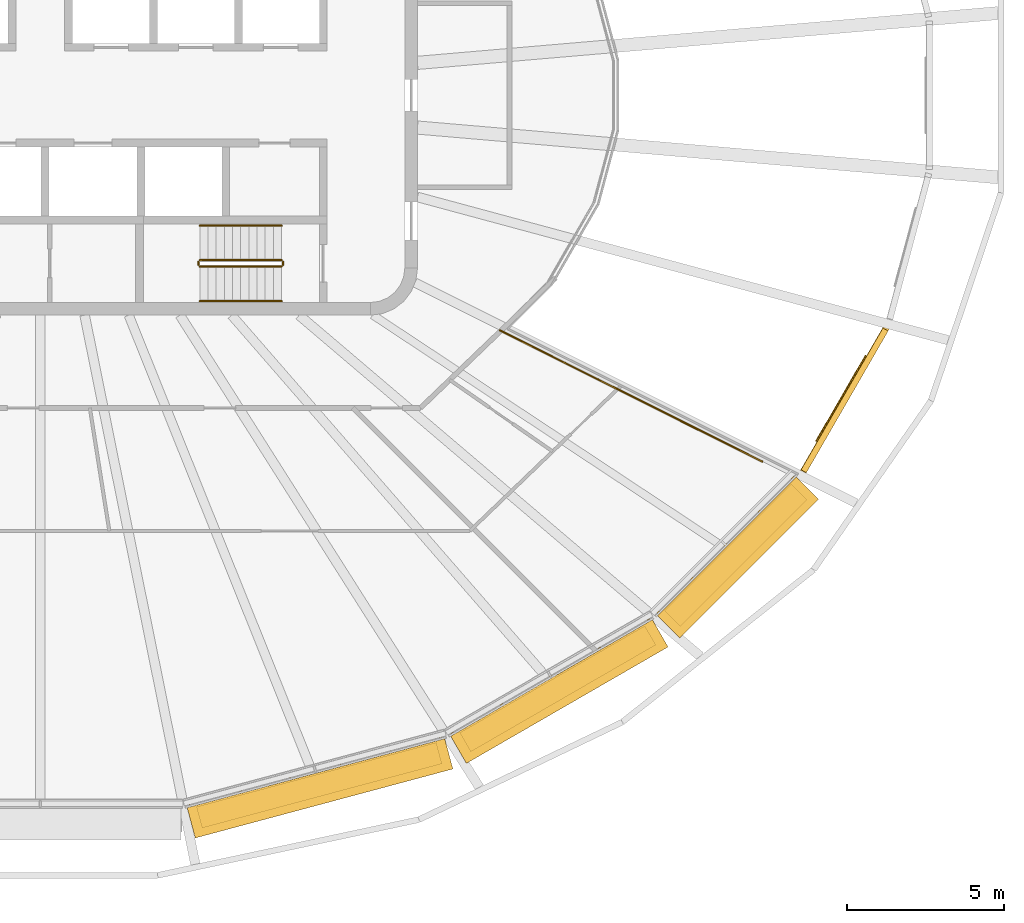
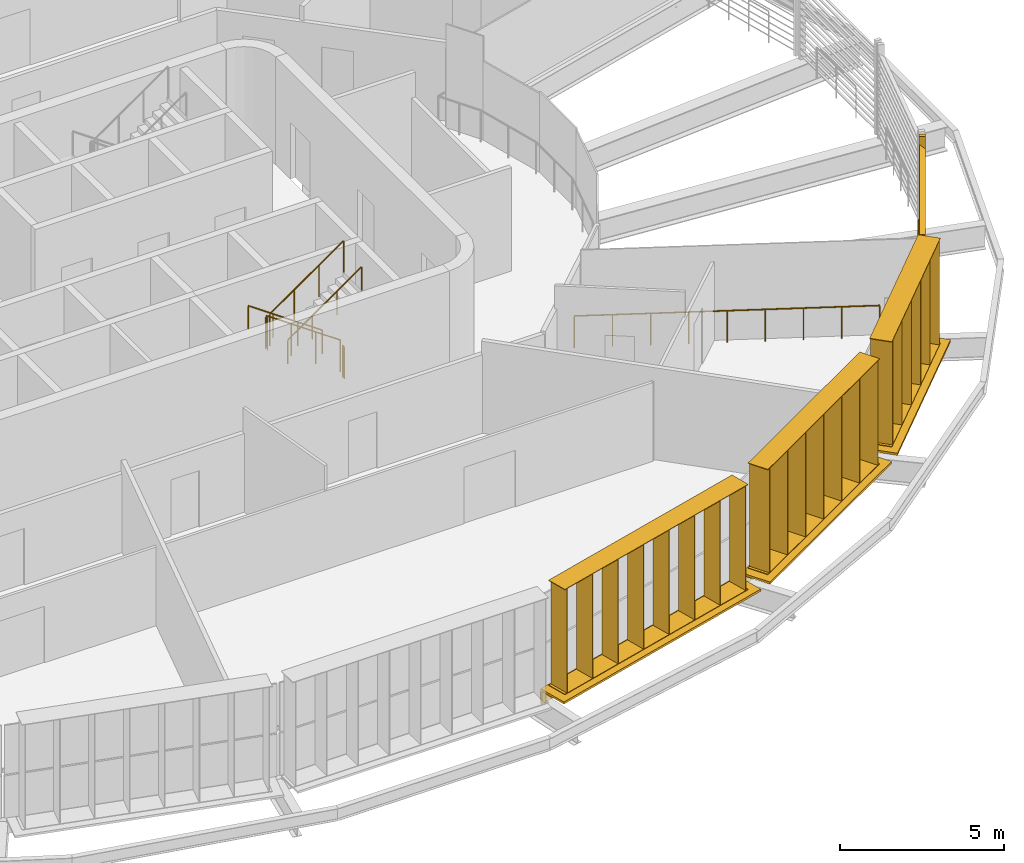
# One storey, part 15 of 17: 8 railings, 7 shading devices.
"""IFC4 building model written with IfcOpenShell, lengths in metres."""

from ifc_helpers import new_model, si_unit, direction, frame, origin, origin_2d, place, context, subcontext, project, spatial, rectangle, circle, extrude, material, type_object, element, save


model = new_model("IFC4")

# Units and contexts
model_context = context("Model", 3, precision=1e-05, world=origin(), true_north=direction((0.0, 1.0)))
body_context = subcontext(model_context, "Body", "Model", "MODEL_VIEW")
ifc_project = project(units=[si_unit("LENGTHUNIT", "METRE"), si_unit("AREAUNIT", "SQUARE_METRE"), si_unit("VOLUMEUNIT", "CUBIC_METRE"), si_unit("PLANEANGLEUNIT", "RADIAN"), si_unit("MASSUNIT", "GRAM", prefix="KILO")], contexts=[model_context])

# Site, building, storey
site_placement = place(None, origin())
site = spatial("IfcSite", under=ifc_project, at=site_placement, CompositionType="ELEMENT")
building_placement = place(site_placement, origin())
building = spatial("IfcBuilding", under=site, at=building_placement, Name="Sahrelin Media Tower", CompositionType="ELEMENT")
storey_placement = place(building_placement, frame((0.0, 0.0, 291.0)))
storey = spatial("IfcBuildingStorey", under=building, at=storey_placement, Name="L64", CompositionType="ELEMENT", Elevation=291.0)

# Shading devices
ifc_material_1 = material(Name="Champagne anodised aluminium 6063-T6", Category="aluminium")
shading_device_type_1 = type_object("IfcShadingDeviceType", Name="Fin cassette", PredefinedType="USERDEFINED", material=ifc_material_1)
placement_1 = place(storey_placement, frame((8.763427734375, -21.548828125, 0.0), z_axis=(0.0, 0.0, 1.0), x_axis=(-0.965928857556, -0.258807731996, 0.0)))
element("IfcShadingDevice", 1, at=placement_1, inside=storey, type_object=shading_device_type_1, Name="L64:FIN:L64-19", ObjectType="FIN", PredefinedType="USERDEFINED", context=body_context, shape_type="SweptSolid", body=[
    extrude(rectangle(XDim=7.89990234375, YDim=0.699951171875, at=origin_2d()), frame((0.0, 0.419921875, 0.0)), (0.0, 0.0, 1.0), 0.02001953125),
    extrude(rectangle(XDim=7.89990234375, YDim=0.699951171875, at=origin_2d()), frame((0.0, 0.419921875, 3.89990234375)), (0.0, 0.0, 1.0), 0.02001953125),
    extrude(rectangle(XDim=0.02001953125, YDim=0.699951171875, at=origin_2d()), frame((-3.85009765625, 0.419921875, 0.010009765625), z_axis=(0.0, 0.0, 1.0), x_axis=(1.0, 0.0, 0.0)), (0.0, 0.0, 1.0), 3.89990234375),
    extrude(rectangle(XDim=0.02001953125, YDim=0.699951171875, at=origin_2d()), frame((-2.75, 0.419921875, 0.010009765625), z_axis=(0.0, 0.0, 1.0), x_axis=(1.0, 0.0, 0.0)), (0.0, 0.0, 1.0), 3.89990234375),
    extrude(rectangle(XDim=0.02001953125, YDim=0.699951171875, at=origin_2d()), frame((-1.64990234375, 0.419921875, 0.010009765625), z_axis=(0.0, 0.0, 1.0), x_axis=(1.0, 0.0, 0.0)), (0.0, 0.0, 1.0), 3.89990234375),
    extrude(rectangle(XDim=0.02001953125, YDim=0.699951171875, at=origin_2d()), frame((-0.550048828125, 0.419921875, 0.010009765625), z_axis=(0.0, 0.0, 1.0), x_axis=(1.0, 0.0, 0.0)), (0.0, 0.0, 1.0), 3.89990234375),
    extrude(rectangle(XDim=0.02001953125, YDim=0.699951171875, at=origin_2d()), frame((0.550048828125, 0.419921875, 0.010009765625), z_axis=(0.0, 0.0, 1.0), x_axis=(1.0, 0.0, 0.0)), (0.0, 0.0, 1.0), 3.89990234375),
    extrude(rectangle(XDim=0.02001953125, YDim=0.699951171875, at=origin_2d()), frame((1.64990234375, 0.419921875, 0.010009765625), z_axis=(0.0, 0.0, 1.0), x_axis=(1.0, 0.0, 0.0)), (0.0, 0.0, 1.0), 3.89990234375),
    extrude(rectangle(XDim=0.02001953125, YDim=0.699951171875, at=origin_2d()), frame((2.75, 0.419921875, 0.010009765625), z_axis=(0.0, 0.0, 1.0), x_axis=(1.0, 0.0, 0.0)), (0.0, 0.0, 1.0), 3.89990234375),
    extrude(rectangle(XDim=0.02001953125, YDim=0.699951171875, at=origin_2d()), frame((3.85009765625, 0.419921875, 0.010009765625), z_axis=(0.0, 0.0, 1.0), x_axis=(1.0, 0.0, 0.0)), (0.0, 0.0, 1.0), 3.89990234375),
])
placement_2 = place(storey_placement, frame((16.25341796875, -18.522216796875, 0.0), z_axis=(0.0, 0.0, 1.0), x_axis=(-0.866019052629, -0.500011000363, 0.0)))
element("IfcShadingDevice", 2, at=placement_2, inside=storey, type_object=shading_device_type_1, Name="L64:FIN:L64-20", ObjectType="FIN", PredefinedType="USERDEFINED", context=body_context, shape_type="SweptSolid", body=[
    extrude(rectangle(XDim=6.800048828125, YDim=0.699951171875, at=origin_2d()), frame((0.0, 0.419921875, 0.0)), (0.0, 0.0, 1.0), 0.02001953125),
    extrude(rectangle(XDim=6.800048828125, YDim=0.699951171875, at=origin_2d()), frame((0.0, 0.419921875, 3.89990234375)), (0.0, 0.0, 1.0), 0.02001953125),
    extrude(rectangle(XDim=0.02001953125, YDim=0.699951171875, at=origin_2d()), frame((-3.300048828125, 0.419921875, 0.010009765625), z_axis=(0.0, 0.0, 1.0), x_axis=(1.0, 0.0, 0.0)), (0.0, 0.0, 1.0), 3.89990234375),
    extrude(rectangle(XDim=0.02001953125, YDim=0.699951171875, at=origin_2d()), frame((-2.199951171875, 0.419921875, 0.010009765625), z_axis=(0.0, 0.0, 1.0), x_axis=(1.0, 0.0, 0.0)), (0.0, 0.0, 1.0), 3.89990234375),
    extrude(rectangle(XDim=0.02001953125, YDim=0.699951171875, at=origin_2d()), frame((-1.10009765625, 0.419921875, 0.010009765625), z_axis=(0.0, 0.0, 1.0), x_axis=(1.0, 0.0, 0.0)), (0.0, 0.0, 1.0), 3.89990234375),
    extrude(rectangle(XDim=0.02001953125, YDim=0.699951171875, at=origin_2d()), frame((0.0, 0.419921875, 0.010009765625), z_axis=(0.0, 0.0, 1.0), x_axis=(1.0, 0.0, 0.0)), (0.0, 0.0, 1.0), 3.89990234375),
    extrude(rectangle(XDim=0.02001953125, YDim=0.699951171875, at=origin_2d()), frame((1.10009765625, 0.419921875, 0.010009765625), z_axis=(0.0, 0.0, 1.0), x_axis=(1.0, 0.0, 0.0)), (0.0, 0.0, 1.0), 3.89990234375),
    extrude(rectangle(XDim=0.02001953125, YDim=0.699951171875, at=origin_2d()), frame((2.199951171875, 0.419921875, 0.010009765625), z_axis=(0.0, 0.0, 1.0), x_axis=(1.0, 0.0, 0.0)), (0.0, 0.0, 1.0), 3.89990234375),
    extrude(rectangle(XDim=0.02001953125, YDim=0.699951171875, at=origin_2d()), frame((3.300048828125, 0.419921875, 0.010009765625), z_axis=(0.0, 0.0, 1.0), x_axis=(1.0, 0.0, 0.0)), (0.0, 0.0, 1.0), 3.89990234375),
])
placement_3 = place(storey_placement, frame((21.829345703125, -14.339111328125, 0.0), z_axis=(0.0, 0.0, 1.0), x_axis=(-0.707106781187, -0.707106781187, 0.0)))
element("IfcShadingDevice", 3, at=placement_3, inside=storey, type_object=shading_device_type_1, Name="L64:FIN:L64-21", ObjectType="FIN", PredefinedType="USERDEFINED", context=body_context, shape_type="SweptSolid", body=[
    extrude(rectangle(XDim=5.699951171875, YDim=0.699951171875, at=origin_2d()), frame((0.0, 0.419921875, 0.0)), (0.0, 0.0, 1.0), 0.02001953125),
    extrude(rectangle(XDim=5.699951171875, YDim=0.699951171875, at=origin_2d()), frame((0.0, 0.419921875, 3.89990234375)), (0.0, 0.0, 1.0), 0.02001953125),
    extrude(rectangle(XDim=0.02001953125, YDim=0.699951171875, at=origin_2d()), frame((-2.75, 0.419921875, 0.010009765625), z_axis=(0.0, 0.0, 1.0), x_axis=(1.0, 0.0, 0.0)), (0.0, 0.0, 1.0), 3.89990234375),
    extrude(rectangle(XDim=0.02001953125, YDim=0.699951171875, at=origin_2d()), frame((-1.64990234375, 0.419921875, 0.010009765625), z_axis=(0.0, 0.0, 1.0), x_axis=(1.0, 0.0, 0.0)), (0.0, 0.0, 1.0), 3.89990234375),
    extrude(rectangle(XDim=0.02001953125, YDim=0.699951171875, at=origin_2d()), frame((-0.550048828125, 0.419921875, 0.010009765625), z_axis=(0.0, 0.0, 1.0), x_axis=(1.0, 0.0, 0.0)), (0.0, 0.0, 1.0), 3.89990234375),
    extrude(rectangle(XDim=0.02001953125, YDim=0.699951171875, at=origin_2d()), frame((0.550048828125, 0.419921875, 0.010009765625), z_axis=(0.0, 0.0, 1.0), x_axis=(1.0, 0.0, 0.0)), (0.0, 0.0, 1.0), 3.89990234375),
    extrude(rectangle(XDim=0.02001953125, YDim=0.699951171875, at=origin_2d()), frame((1.64990234375, 0.419921875, 0.010009765625), z_axis=(0.0, 0.0, 1.0), x_axis=(1.0, 0.0, 0.0)), (0.0, 0.0, 1.0), 3.89990234375),
    extrude(rectangle(XDim=0.02001953125, YDim=0.699951171875, at=origin_2d()), frame((2.75, 0.419921875, 0.010009765625), z_axis=(0.0, 0.0, 1.0), x_axis=(1.0, 0.0, 0.0)), (0.0, 0.0, 1.0), 3.89990234375),
])
shading_device_type_2 = type_object("IfcShadingDeviceType", Name="Garden screen", PredefinedType="USERDEFINED", material=ifc_material_1)
shading_device_4_placement = place(storey_placement, frame((25.49658203125, -9.656494140625, 0.0), z_axis=(0.0, 0.0, 1.0), x_axis=(-0.500011000363, -0.866019052629, 0.0)))
element("IfcShadingDevice", 4, at=shading_device_4_placement, inside=storey, type_object=shading_device_type_2, Name="L64:SCREEN:L64-22", ObjectType="SCREEN", PredefinedType="USERDEFINED", context=body_context, shape_type="SweptSolid", body=[
    extrude(rectangle(XDim=0.1201171875, YDim=0.199951171875, at=origin_2d()), frame((2.663818359375, 0.10009765625, 0.050048828125), z_axis=(0.0, 0.0, 1.0), x_axis=(1.0, 0.0, 0.0)), (0.0, 0.0, 1.0), 3.49853515625),
    extrude(rectangle(XDim=0.1201171875, YDim=0.199951171875, at=origin_2d()), frame((-2.663818359375, 0.10009765625, 0.050048828125), z_axis=(0.0, 0.0, 1.0), x_axis=(1.0, 0.0, 0.0)), (0.0, 0.0, 1.0), 3.49853515625),
    extrude(rectangle(XDim=0.25, YDim=0.02001953125, at=origin_2d()), frame((2.60400390625, 0.10009765625, 0.14990234375), z_axis=(-1.0, 0.0, 0.0), x_axis=(0.0, -0.766044443119, 0.642787609687)), (0.0, 0.0, 1.0), 5.2080078125),
    extrude(rectangle(XDim=0.25, YDim=0.02001953125, at=origin_2d()), frame((2.60400390625, 0.10009765625, 0.39990234375), z_axis=(-1.0, 0.0, 0.0), x_axis=(0.0, -0.766044443119, 0.642787609687)), (0.0, 0.0, 1.0), 5.2080078125),
    extrude(rectangle(XDim=0.25, YDim=0.02001953125, at=origin_2d()), frame((2.60400390625, 0.10009765625, 0.64990234375), z_axis=(-1.0, 0.0, 0.0), x_axis=(0.0, -0.766044443119, 0.642787609687)), (0.0, 0.0, 1.0), 5.2080078125),
    extrude(rectangle(XDim=0.25, YDim=0.02001953125, at=origin_2d()), frame((2.60400390625, 0.10009765625, 0.89990234375), z_axis=(-1.0, 0.0, 0.0), x_axis=(0.0, -0.766044443119, 0.642787609687)), (0.0, 0.0, 1.0), 5.2080078125),
    extrude(rectangle(XDim=0.25, YDim=0.02001953125, at=origin_2d()), frame((2.60400390625, 0.10009765625, 1.14990234375), z_axis=(-1.0, 0.0, 0.0), x_axis=(0.0, -0.766044443119, 0.642787609687)), (0.0, 0.0, 1.0), 5.2080078125),
    extrude(rectangle(XDim=0.25, YDim=0.02001953125, at=origin_2d()), frame((2.60400390625, 0.10009765625, 1.39990234375), z_axis=(-1.0, 0.0, 0.0), x_axis=(0.0, -0.766044443119, 0.642787609687)), (0.0, 0.0, 1.0), 5.2080078125),
    extrude(rectangle(XDim=0.25, YDim=0.02001953125, at=origin_2d()), frame((2.60400390625, 0.10009765625, 1.64990234375), z_axis=(-1.0, 0.0, 0.0), x_axis=(0.0, -0.766044443119, 0.642787609687)), (0.0, 0.0, 1.0), 5.2080078125),
    extrude(rectangle(XDim=0.25, YDim=0.02001953125, at=origin_2d()), frame((2.60400390625, 0.10009765625, 1.89990234375), z_axis=(-1.0, 0.0, 0.0), x_axis=(0.0, -0.766044443119, 0.642787609687)), (0.0, 0.0, 1.0), 5.2080078125),
    extrude(rectangle(XDim=0.25, YDim=0.02001953125, at=origin_2d()), frame((2.60400390625, 0.10009765625, 2.14990234375), z_axis=(-1.0, 0.0, 0.0), x_axis=(0.0, -0.766044443119, 0.642787609687)), (0.0, 0.0, 1.0), 5.2080078125),
    extrude(rectangle(XDim=0.25, YDim=0.02001953125, at=origin_2d()), frame((2.60400390625, 0.10009765625, 2.39990234375), z_axis=(-1.0, 0.0, 0.0), x_axis=(0.0, -0.766044443119, 0.642787609687)), (0.0, 0.0, 1.0), 5.2080078125),
    extrude(rectangle(XDim=0.25, YDim=0.02001953125, at=origin_2d()), frame((2.60400390625, 0.10009765625, 2.64990234375), z_axis=(-1.0, 0.0, 0.0), x_axis=(0.0, -0.766044443119, 0.642787609687)), (0.0, 0.0, 1.0), 5.2080078125),
    extrude(rectangle(XDim=0.25, YDim=0.02001953125, at=origin_2d()), frame((2.60400390625, 0.10009765625, 2.89990234375), z_axis=(-1.0, 0.0, 0.0), x_axis=(0.0, -0.766044443119, 0.642787609687)), (0.0, 0.0, 1.0), 5.2080078125),
    extrude(rectangle(XDim=0.25, YDim=0.02001953125, at=origin_2d()), frame((2.60400390625, 0.10009765625, 3.14990234375), z_axis=(-1.0, 0.0, 0.0), x_axis=(0.0, -0.766044443119, 0.642787609687)), (0.0, 0.0, 1.0), 5.2080078125),
])

# Railings
ifc_material_2 = material(Name="Stainless steel 316", Category="steel")
railing_type_1 = type_object("IfcRailingType", Name="Sky garden guard", PredefinedType="GUARDRAIL", material=ifc_material_2)
railing_1_placement = place(storey_placement, frame((26.256591796875, -8.295654296875, 0.0)))
element("IfcRailing", 5, at=railing_1_placement, inside=storey, type_object=railing_type_1, Name="Sky garden void guard G8-5", PredefinedType="GUARDRAIL", context=body_context, shape_type="SweptSolid", body=[
    extrude(circle(Radius=0.02392578125, at=origin_2d()), frame((0.0, 0.0, 1.17578125), z_axis=(-0.500054530113, -0.86599391852, 0.0), x_axis=(0.86599391852, -0.500054530113, 0.0)), (0.0, 0.0, 1.0), 3.118408203125),
    extrude(circle(Radius=0.02099609375, at=origin_2d()), origin(), (0.0, 0.0, 1.0), 1.15185546875),
    extrude(circle(Radius=0.02099609375, at=origin_2d()), frame((-0.519775390625, -0.900146484375, 0.0)), (0.0, 0.0, 1.0), 1.15185546875),
    extrude(circle(Radius=0.02099609375, at=origin_2d()), frame((-1.03955078125, -1.80029296875, 0.0)), (0.0, 0.0, 1.0), 1.15185546875),
    extrude(circle(Radius=0.02099609375, at=origin_2d()), frame((-1.559326171875, -2.700439453125, 0.0)), (0.0, 0.0, 1.0), 1.15185546875),
])
railing_2_placement = place(storey_placement, frame((22.964111328125, -11.6533203125, 0.0)))
element("IfcRailing", 6, at=railing_2_placement, inside=storey, type_object=railing_type_1, Name="Sky garden void guard G8-6", PredefinedType="GUARDRAIL", context=body_context, shape_type="SweptSolid", body=[
    extrude(circle(Radius=0.02392578125, at=origin_2d()), frame((0.0, 0.0, 1.17578125), z_axis=(-0.894369625798, 0.447328707383, 0.0), x_axis=(-0.447328707383, -0.894369625798, 0.0)), (0.0, 0.0, 1.0), 9.33154296875),
    extrude(circle(Radius=0.02099609375, at=origin_2d()), origin(), (0.0, 0.0, 1.0), 1.15185546875),
    extrude(circle(Radius=0.02099609375, at=origin_2d()), frame((-1.043212890625, 0.521728515625, 0.0)), (0.0, 0.0, 1.0), 1.15185546875),
    extrude(circle(Radius=0.02099609375, at=origin_2d()), frame((-2.08642578125, 1.04345703125, 0.0)), (0.0, 0.0, 1.0), 1.15185546875),
    extrude(circle(Radius=0.02099609375, at=origin_2d()), frame((-3.129638671875, 1.5654296875, 0.0)), (0.0, 0.0, 1.0), 1.15185546875),
    extrude(circle(Radius=0.02099609375, at=origin_2d()), frame((-4.1728515625, 2.087158203125, 0.0)), (0.0, 0.0, 1.0), 1.15185546875),
    extrude(circle(Radius=0.02099609375, at=origin_2d()), frame((-5.21630859375, 2.60888671875, 0.0)), (0.0, 0.0, 1.0), 1.15185546875),
    extrude(circle(Radius=0.02099609375, at=origin_2d()), frame((-6.259521484375, 3.130859375, 0.0)), (0.0, 0.0, 1.0), 1.15185546875),
    extrude(circle(Radius=0.02099609375, at=origin_2d()), frame((-7.302734375, 3.652587890625, 0.0)), (0.0, 0.0, 1.0), 1.15185546875),
    extrude(circle(Radius=0.02099609375, at=origin_2d()), frame((-8.345947265625, 4.17431640625, 0.0)), (0.0, 0.0, 1.0), 1.15185546875),
])
ifc_material_3 = material(Name="Steel S355", Category="steel")
railing_type_2 = type_object("IfcRailingType", Name="Stair guard 1200", PredefinedType="GUARDRAIL", material=ifc_material_3)
railing_3_placement = place(storey_placement, frame((7.675048828125, -5.25, 0.181884765625)))
element("IfcRailing", 7, at=railing_3_placement, inside=storey, type_object=railing_type_2, Name="L64 ST2 stair guard 1", PredefinedType="GUARDRAIL", context=body_context, shape_type="SweptSolid", body=[
    extrude(circle(Radius=0.02392578125, at=origin_2d()), frame((0.0, 0.0, 1.17578125), z_axis=(-0.819521025635, 0.0, 0.573049115296), x_axis=(0.0, -1.0, 0.0)), (0.0, 0.0, 1.0), 3.172607421875),
    extrude(circle(Radius=0.02099609375, at=origin_2d()), origin(), (0.0, 0.0, 1.0), 1.15185546875),
    extrude(circle(Radius=0.02099609375, at=origin_2d()), frame((-0.86669921875, 0.0, 0.60595703125)), (0.0, 0.0, 1.0), 1.15185546875),
    extrude(circle(Radius=0.02099609375, at=origin_2d()), frame((-1.7333984375, 0.0, 1.212158203125)), (0.0, 0.0, 1.0), 1.15185546875),
    extrude(circle(Radius=0.02099609375, at=origin_2d()), frame((-2.60009765625, 0.0, 1.818115234375)), (0.0, 0.0, 1.0), 1.15185546875),
])
railing_4_placement = place(storey_placement, frame((5.02490234375, -5.300048828125, 2.0)))
element("IfcRailing", 8, at=railing_4_placement, inside=storey, type_object=railing_type_2, Name="L64 ST2 stair guard 2", PredefinedType="GUARDRAIL", context=body_context, shape_type="SweptSolid", body=[
    extrude(circle(Radius=0.02392578125, at=origin_2d()), frame((0.0, 0.0, 1.17578125), z_axis=(0.0, -1.0, 0.0), x_axis=(1.0, 0.0, 0.0)), (0.0, 0.0, 1.0), 0.099853515625),
    extrude(circle(Radius=0.02099609375, at=origin_2d()), origin(), (0.0, 0.0, 1.0), 1.15185546875),
    extrude(circle(Radius=0.02099609375, at=origin_2d()), frame((0.0, -0.099853515625, 0.0)), (0.0, 0.0, 1.0), 1.15185546875),
])
railing_5_placement = place(storey_placement, frame((5.074951171875, -5.449951171875, 2.181884765625)))
element("IfcRailing", 9, at=railing_5_placement, inside=storey, type_object=railing_type_2, Name="L64 ST2 stair guard 3", PredefinedType="GUARDRAIL", context=body_context, shape_type="SweptSolid", body=[
    extrude(circle(Radius=0.02392578125, at=origin_2d()), frame((0.0, 0.0, 1.17578125), z_axis=(0.819521025635, 0.0, 0.573049115296), x_axis=(0.0, 1.0, 0.0)), (0.0, 0.0, 1.0), 3.172607421875),
    extrude(circle(Radius=0.02099609375, at=origin_2d()), origin(), (0.0, 0.0, 1.0), 1.15185546875),
    extrude(circle(Radius=0.02099609375, at=origin_2d()), frame((0.86669921875, 0.0, 0.60595703125)), (0.0, 0.0, 1.0), 1.15185546875),
    extrude(circle(Radius=0.02099609375, at=origin_2d()), frame((1.7333984375, 0.0, 1.212158203125)), (0.0, 0.0, 1.0), 1.15185546875),
    extrude(circle(Radius=0.02099609375, at=origin_2d()), frame((2.60009765625, 0.0, 1.818115234375)), (0.0, 0.0, 1.0), 1.15185546875),
])
railing_6_placement = place(storey_placement, frame((7.72509765625, -5.300048828125, 0.0)))
element("IfcRailing", 10, at=railing_6_placement, inside=storey, type_object=railing_type_2, Name="L64 ST2 stair guard 4", PredefinedType="GUARDRAIL", context=body_context, shape_type="SweptSolid", body=[
    extrude(circle(Radius=0.02392578125, at=origin_2d()), frame((0.0, 0.0, 1.17578125), z_axis=(0.0, -1.0, 0.0), x_axis=(1.0, 0.0, 0.0)), (0.0, 0.0, 1.0), 0.099853515625),
    extrude(circle(Radius=0.02099609375, at=origin_2d()), origin(), (0.0, 0.0, 1.0), 1.15185546875),
    extrude(circle(Radius=0.02099609375, at=origin_2d()), frame((0.0, -0.099853515625, 0.0)), (0.0, 0.0, 1.0), 1.15185546875),
])
railing_type_3 = type_object("IfcRailingType", Name="Stair handrail 900", PredefinedType="HANDRAIL", material=ifc_material_3)
railing_7_placement = place(storey_placement, frame((7.675048828125, -4.14990234375, 0.181884765625)))
element("IfcRailing", 11, at=railing_7_placement, inside=storey, type_object=railing_type_3, Name="L64 ST2 stair handrail 1", PredefinedType="HANDRAIL", context=body_context, shape_type="SweptSolid", body=[
    extrude(circle(Radius=0.02392578125, at=origin_2d()), frame((0.0, 0.0, 0.8759765625), z_axis=(-0.819521025635, 0.0, 0.573049115296), x_axis=(0.0, -1.0, 0.0)), (0.0, 0.0, 1.0), 3.172607421875),
    extrude(circle(Radius=0.02099609375, at=origin_2d()), origin(), (0.0, 0.0, 1.0), 0.851806640625),
    extrude(circle(Radius=0.02099609375, at=origin_2d()), frame((-0.86669921875, 0.0, 0.60595703125)), (0.0, 0.0, 1.0), 0.851806640625),
    extrude(circle(Radius=0.02099609375, at=origin_2d()), frame((-1.7333984375, 0.0, 1.212158203125)), (0.0, 0.0, 1.0), 0.851806640625),
    extrude(circle(Radius=0.02099609375, at=origin_2d()), frame((-2.60009765625, 0.0, 1.818115234375)), (0.0, 0.0, 1.0), 0.851806640625),
])
railing_8_placement = place(storey_placement, frame((5.074951171875, -6.550048828125, 2.181884765625)))
element("IfcRailing", 12, at=railing_8_placement, inside=storey, type_object=railing_type_3, Name="L64 ST2 stair handrail 2", PredefinedType="HANDRAIL", context=body_context, shape_type="SweptSolid", body=[
    extrude(circle(Radius=0.02392578125, at=origin_2d()), frame((0.0, 0.0, 0.8759765625), z_axis=(0.819521025635, 0.0, 0.573049115296), x_axis=(0.0, 1.0, 0.0)), (0.0, 0.0, 1.0), 3.172607421875),
    extrude(circle(Radius=0.02099609375, at=origin_2d()), origin(), (0.0, 0.0, 1.0), 0.851806640625),
    extrude(circle(Radius=0.02099609375, at=origin_2d()), frame((0.86669921875, 0.0, 0.60595703125)), (0.0, 0.0, 1.0), 0.851806640625),
    extrude(circle(Radius=0.02099609375, at=origin_2d()), frame((1.7333984375, 0.0, 1.212158203125)), (0.0, 0.0, 1.0), 0.851806640625),
    extrude(circle(Radius=0.02099609375, at=origin_2d()), frame((2.60009765625, 0.0, 1.818115234375)), (0.0, 0.0, 1.0), 0.851806640625),
])

# Shading devices
shading_device_type_3 = type_object("IfcShadingDeviceType", Name="Sunshade band", PredefinedType="USERDEFINED", material=ifc_material_1)
element("IfcShadingDevice", 13, at=placement_1, inside=storey, type_object=shading_device_type_3, Name="L64:SUN:L64-19", ObjectType="SUNSHADE", PredefinedType="USERDEFINED", context=body_context, shape_type="SweptSolid", body=[
    extrude(rectangle(XDim=8.48486328125, YDim=0.050048828125, at=origin_2d()), frame((0.0, 0.044921875, -0.55126953125)), (0.0, 0.0, 1.0), 0.471435546875),
    extrude(rectangle(XDim=8.48486328125, YDim=1.0, at=origin_2d()), frame((0.0, 0.52001953125, -0.080078125)), (0.0, 0.0, 1.0), 0.080078125),
    extrude(rectangle(XDim=0.10009765625, YDim=0.074951171875, at=origin_2d()), frame((-4.142333984375, -0.017578125, -0.47021484375)), (0.0, 0.0, 1.0), 0.300048828125),
    extrude(rectangle(XDim=0.10009765625, YDim=0.074951171875, at=origin_2d()), frame((-2.4853515625, -0.017578125, -0.47021484375)), (0.0, 0.0, 1.0), 0.300048828125),
    extrude(rectangle(XDim=0.10009765625, YDim=0.074951171875, at=origin_2d()), frame((-0.82861328125, -0.017578125, -0.47021484375)), (0.0, 0.0, 1.0), 0.300048828125),
    extrude(rectangle(XDim=0.10009765625, YDim=0.074951171875, at=origin_2d()), frame((0.82861328125, -0.017578125, -0.47021484375)), (0.0, 0.0, 1.0), 0.300048828125),
    extrude(rectangle(XDim=0.10009765625, YDim=0.074951171875, at=origin_2d()), frame((2.4853515625, -0.017578125, -0.47021484375)), (0.0, 0.0, 1.0), 0.300048828125),
    extrude(rectangle(XDim=0.10009765625, YDim=0.074951171875, at=origin_2d()), frame((4.142333984375, -0.017578125, -0.47021484375)), (0.0, 0.0, 1.0), 0.300048828125),
])
element("IfcShadingDevice", 14, at=placement_2, inside=storey, type_object=shading_device_type_3, Name="L64:SUN:L64-20", ObjectType="SUNSHADE", PredefinedType="USERDEFINED", context=body_context, shape_type="SweptSolid", body=[
    extrude(rectangle(XDim=7.41064453125, YDim=0.050048828125, at=origin_2d()), frame((0.0, 0.044921875, -0.55126953125)), (0.0, 0.0, 1.0), 0.471435546875),
    extrude(rectangle(XDim=7.41064453125, YDim=1.0, at=origin_2d()), frame((0.0, 0.52001953125, -0.080078125)), (0.0, 0.0, 1.0), 0.080078125),
    extrude(rectangle(XDim=0.10009765625, YDim=0.074951171875, at=origin_2d()), frame((-3.605224609375, -0.017578125, -0.47021484375)), (0.0, 0.0, 1.0), 0.300048828125),
    extrude(rectangle(XDim=0.10009765625, YDim=0.074951171875, at=origin_2d()), frame((-1.802734375, -0.017578125, -0.47021484375)), (0.0, 0.0, 1.0), 0.300048828125),
    extrude(rectangle(XDim=0.10009765625, YDim=0.074951171875, at=origin_2d()), frame((0.0, -0.017578125, -0.47021484375)), (0.0, 0.0, 1.0), 0.300048828125),
    extrude(rectangle(XDim=0.10009765625, YDim=0.074951171875, at=origin_2d()), frame((1.802734375, -0.017578125, -0.47021484375)), (0.0, 0.0, 1.0), 0.300048828125),
    extrude(rectangle(XDim=0.10009765625, YDim=0.074951171875, at=origin_2d()), frame((3.605224609375, -0.017578125, -0.47021484375)), (0.0, 0.0, 1.0), 0.300048828125),
])
element("IfcShadingDevice", 15, at=placement_3, inside=storey, type_object=shading_device_type_3, Name="L64:SUN:L64-21", ObjectType="SUNSHADE", PredefinedType="USERDEFINED", context=body_context, shape_type="SweptSolid", body=[
    extrude(rectangle(XDim=6.25, YDim=0.050048828125, at=origin_2d()), frame((0.0, 0.044921875, -0.55126953125)), (0.0, 0.0, 1.0), 0.471435546875),
    extrude(rectangle(XDim=6.25, YDim=1.0, at=origin_2d()), frame((0.0, 0.52001953125, -0.080078125)), (0.0, 0.0, 1.0), 0.080078125),
    extrude(rectangle(XDim=0.10009765625, YDim=0.074951171875, at=origin_2d()), frame((-3.02490234375, -0.017578125, -0.47021484375)), (0.0, 0.0, 1.0), 0.300048828125),
    extrude(rectangle(XDim=0.10009765625, YDim=0.074951171875, at=origin_2d()), frame((-1.512451171875, -0.017578125, -0.47021484375)), (0.0, 0.0, 1.0), 0.300048828125),
    extrude(rectangle(XDim=0.10009765625, YDim=0.074951171875, at=origin_2d()), frame((0.0, -0.017578125, -0.47021484375)), (0.0, 0.0, 1.0), 0.300048828125),
    extrude(rectangle(XDim=0.10009765625, YDim=0.074951171875, at=origin_2d()), frame((1.512451171875, -0.017578125, -0.47021484375)), (0.0, 0.0, 1.0), 0.300048828125),
    extrude(rectangle(XDim=0.10009765625, YDim=0.074951171875, at=origin_2d()), frame((3.02490234375, -0.017578125, -0.47021484375)), (0.0, 0.0, 1.0), 0.300048828125),
])

save(model, "model.ifc")
